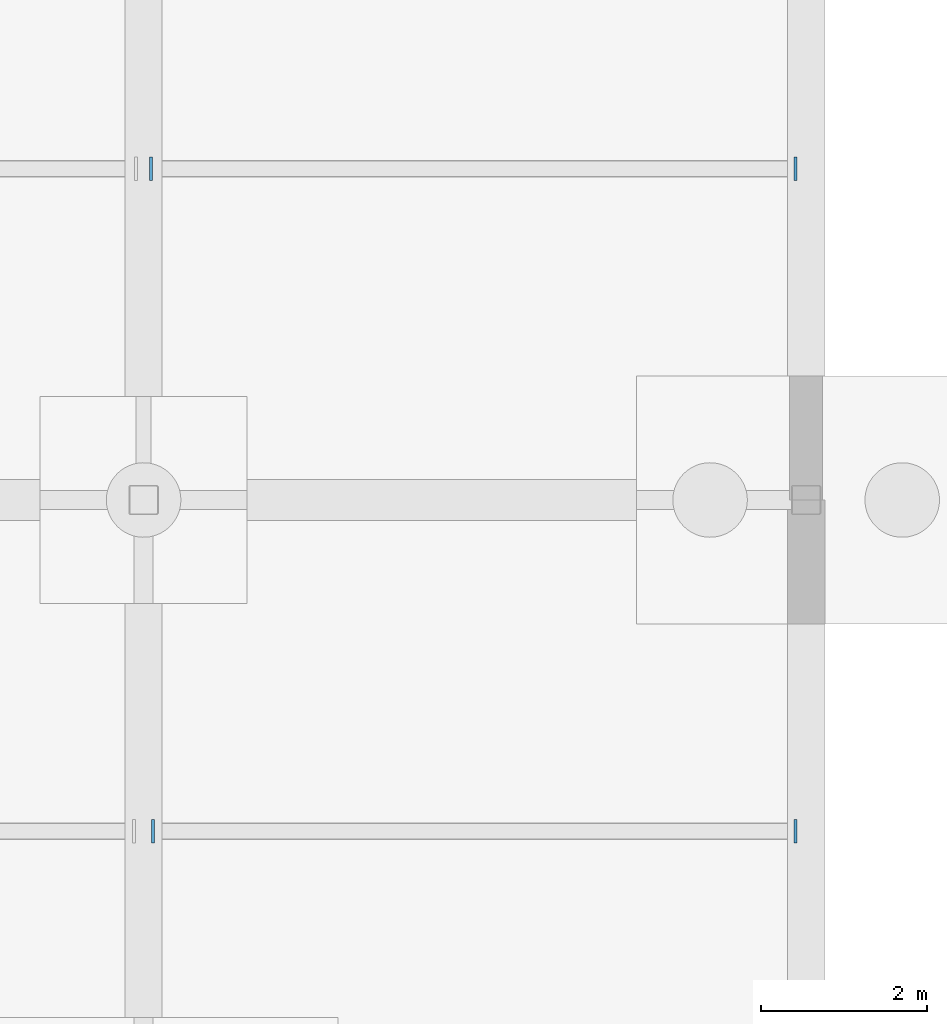
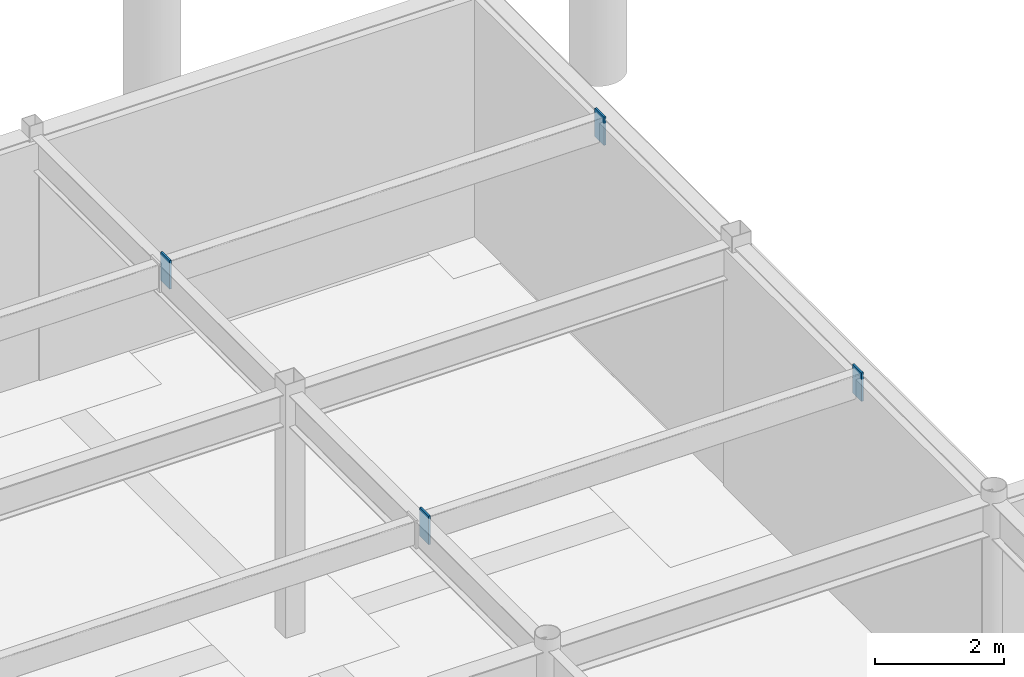
# One storey, part 91 of 105: 4 discrete accessories.
"""IFC4 building model written with IfcOpenShell, lengths in metres."""

from ifc_helpers import new_model, si_unit, direction, frame, origin, origin_2d, place, context, subcontext, project, spatial, rectangle, extrude, material, layer, layer_set, type_object, element, save


model = new_model("IFC4")

# Units and contexts
model_context = context("Model", 3, precision=1e-05, world=origin(), true_north=direction((0.0, 1.0)))
body_context = subcontext(model_context, "Body", "Model", "MODEL_VIEW")
ifc_project = project(units=[si_unit("LENGTHUNIT", "METRE"), si_unit("AREAUNIT", "SQUARE_METRE"), si_unit("VOLUMEUNIT", "CUBIC_METRE"), si_unit("PLANEANGLEUNIT", "RADIAN"), si_unit("MASSUNIT", "GRAM", prefix="KILO")], contexts=[model_context])

# Site, building, storey
site_placement = place(None, origin())
site = spatial("IfcSite", under=ifc_project, at=site_placement, CompositionType="ELEMENT")
building_placement = place(site_placement, origin())
building = spatial("IfcBuilding", under=site, at=building_placement, Name="Solmirada Galleria", CompositionType="ELEMENT")
storey_placement = place(building_placement, frame((0.0, 0.0, -4.800048828125)))
storey = spatial("IfcBuildingStorey", under=building, at=storey_placement, Name="B1", CompositionType="ELEMENT", Elevation=-4.800048828125)

# Discrete accessories
ifc_material = material(Name="Steel S355 / ASTM A572 Grade 50", Category="steel")
ifc_layer = layer(ifc_material, 0.031982421875)
ifc_layer_set = layer_set([ifc_layer], Name="Steel S355 / ASTM A572 Grade 50")
discrete_accessory_type = type_object("IfcDiscreteAccessoryType", Name="ACC-COL-CAP", PredefinedType="BRACKET", material=ifc_layer_set)
for number, where, z_axis, x_axis, name in (
    (1, (136.114013671875, 36.0, 4.08154296875), (0.0, 0.0, 1.0), (1.0, 0.0, 0.0), "Hollow joist end plate L00-18-05-L"),
    (2, (143.8720703125, 36.0, 4.08154296875), (0.0, 0.0, 1.0), (1.0, 0.0, 0.0), "Hollow joist end plate L00-18-05-R"),
    (3, (136.089111328125, 44.0, 4.08154296875), (0.0, 0.0, 1.0), (1.0, 0.0, 0.0), "Hollow joist end plate L00-18-06-L"),
    (4, (143.8720703125, 44.0, 4.08154296875), (0.0, 0.0, 1.0), (1.0, 0.0, 0.0), "Hollow joist end plate L00-18-06-R"),
):
    element("IfcDiscreteAccessory", number, at=place(storey_placement, frame(where, z_axis=z_axis, x_axis=x_axis)), inside=storey, type_object=discrete_accessory_type, Name=name, PredefinedType="BRACKET", context=body_context, shape_type="SweptSolid", body=[
        extrude(rectangle(XDim=0.035888671875, YDim=0.280029296875, at=origin_2d()), origin(), (0.0, 0.0, 1.0), 0.5400390625),
    ])

save(model, "model.ifc")
